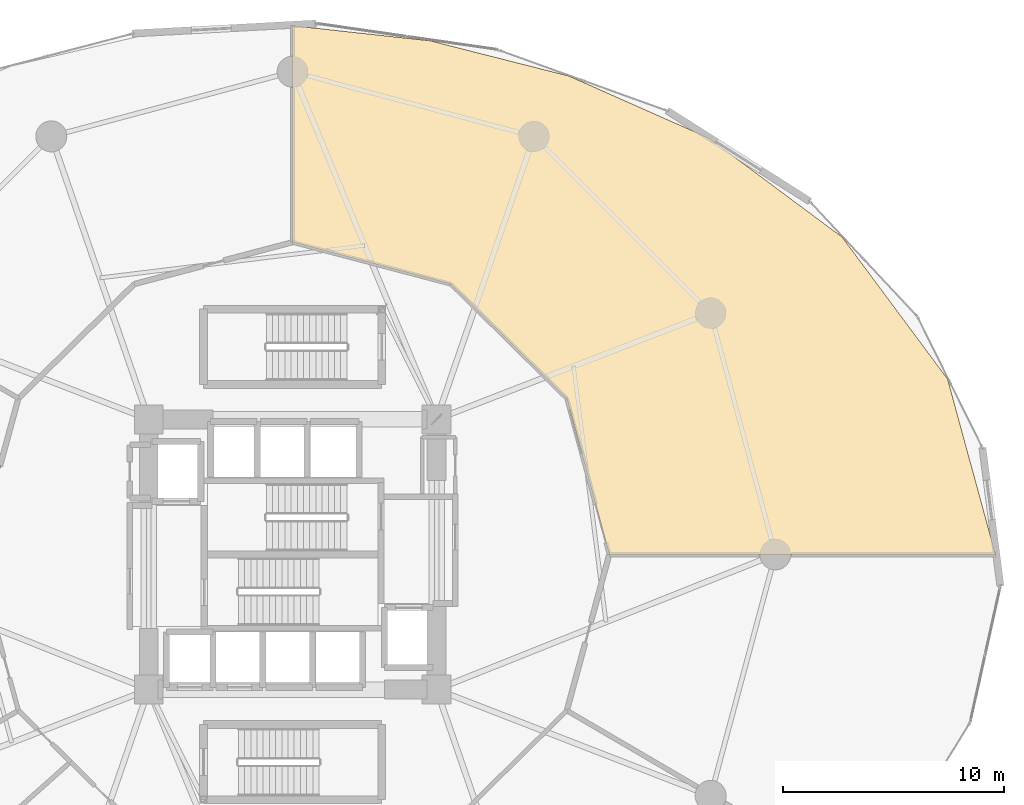
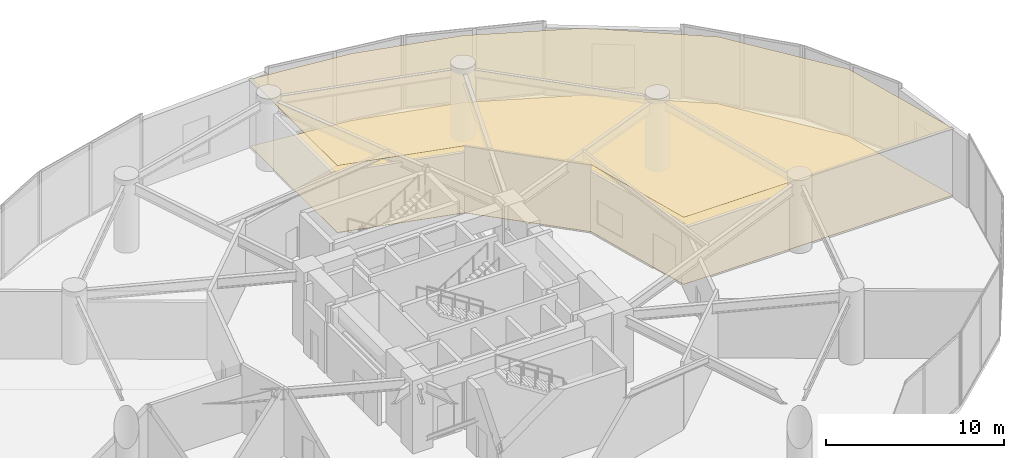
# One storey, part 31 of 31: 2 coverings.
"""IFC4 building model written with IfcOpenShell, lengths in metres."""

from ifc_helpers import new_model, si_unit, direction, frame, origin, place, context, subcontext, project, spatial, polyline, outline, extrude, material, layer, layer_set, type_object, element, save


model = new_model("IFC4")

# Units and contexts
model_context = context("Model", 3, precision=1e-05, world=origin(), true_north=direction((0.0, 1.0)))
body_context = subcontext(model_context, "Body", "Model", "MODEL_VIEW")
ifc_project = project(units=[si_unit("LENGTHUNIT", "METRE"), si_unit("AREAUNIT", "SQUARE_METRE"), si_unit("VOLUMEUNIT", "CUBIC_METRE"), si_unit("PLANEANGLEUNIT", "RADIAN"), si_unit("MASSUNIT", "GRAM", prefix="KILO")], contexts=[model_context])

# Site, building, storey
site_placement = place(None, origin())
site = spatial("IfcSite", under=ifc_project, at=site_placement, CompositionType="ELEMENT")
building_placement = place(site_placement, origin())
building = spatial("IfcBuilding", under=site, at=building_placement, Name="Solvirekh Grand Hotel", CompositionType="ELEMENT")
storey_placement = place(building_placement, frame((0.0, 0.0, 18.60009765625)))
storey = spatial("IfcBuildingStorey", under=building, at=storey_placement, Name="L03", CompositionType="ELEMENT", Elevation=18.60009765625)

# Coverings
ifc_material_1 = material(Name="Acoustic Mineral Ceiling Tile")
ifc_layer_1 = layer(ifc_material_1, 0.02490234375)
ifc_layer_set_1 = layer_set([ifc_layer_1], Name="Acoustic Mineral Ceiling Tile")
covering_type_1 = type_object("IfcCoveringType", Name="Cov_Ceiling_Acoustic", PredefinedType="CEILING", material=ifc_layer_set_1)
covering_1_placement = place(storey_placement, frame((0.0, 0.0, 4.58984375)))
element("IfcCovering", 1, at=covering_1_placement, inside=storey, type_object=covering_type_1, Name="L03 Plenary Conference Auditorium acoustic ceiling", PredefinedType="CEILING", context=body_context, shape_type="SweptSolid", body=[
    extrude(outline(polyline([(31.741943359375, 0.0), (29.576904296875, 7.925048828125), (24.819091796875, 14.3291015625), (18.801025390625, 18.801025390625), (12.47412109375, 21.60595703125), (6.215087890625, 23.195068359375), (0.0, 23.8779296875), (0.0, 14.10009765625), (7.14990234375, 12.2109375), (12.384033203125, 7.050048828125), (14.300048828125, 0.0), (31.741943359375, 0.0)])), origin(), (0.0, 0.0, 1.0), 0.01806640625),
])
ifc_material_2 = material(Name="Porcelain Stoneware Flooring", Category="masonry")
ifc_layer_2 = layer(ifc_material_2, 0.030029296875)
ifc_layer_set_2 = layer_set([ifc_layer_2], Name="Porcelain Stoneware Flooring")
covering_type_2 = type_object("IfcCoveringType", Name="Cov_Floor_Stone", PredefinedType="FLOORING", material=ifc_layer_set_2)
covering_2_placement = place(storey_placement, origin())
element("IfcCovering", 2, at=covering_2_placement, inside=storey, type_object=covering_type_2, Name="L03 Plenary Conference Auditorium polished granite flooring", PredefinedType="FLOORING", context=body_context, shape_type="SweptSolid", body=[
    extrude(outline(polyline([(31.741943359375, 0.0), (29.576904296875, 7.925048828125), (24.819091796875, 14.3291015625), (18.801025390625, 18.801025390625), (12.47412109375, 21.60595703125), (6.215087890625, 23.195068359375), (0.0, 23.8779296875), (0.0, 14.10009765625), (7.14990234375, 12.2109375), (12.384033203125, 7.050048828125), (14.300048828125, 0.0), (31.741943359375, 0.0)])), origin(), (0.0, 0.0, 1.0), 0.02001953125),
])

save(model, "model.ifc")
